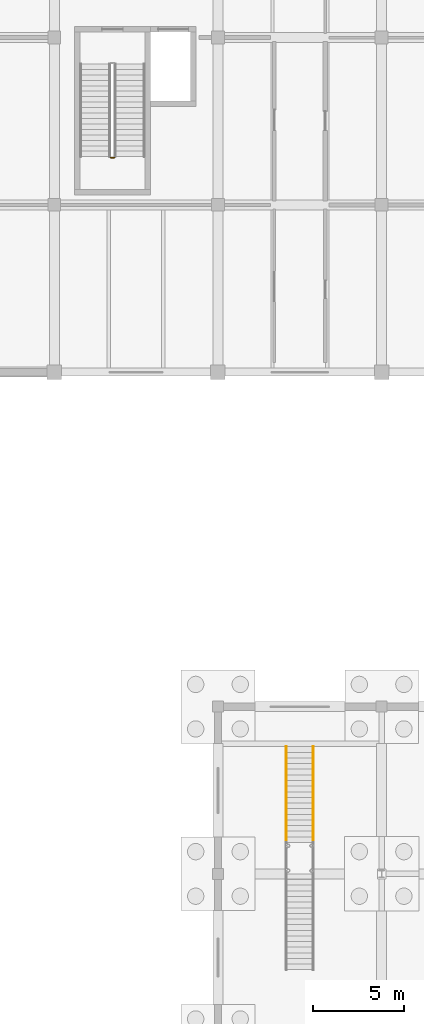
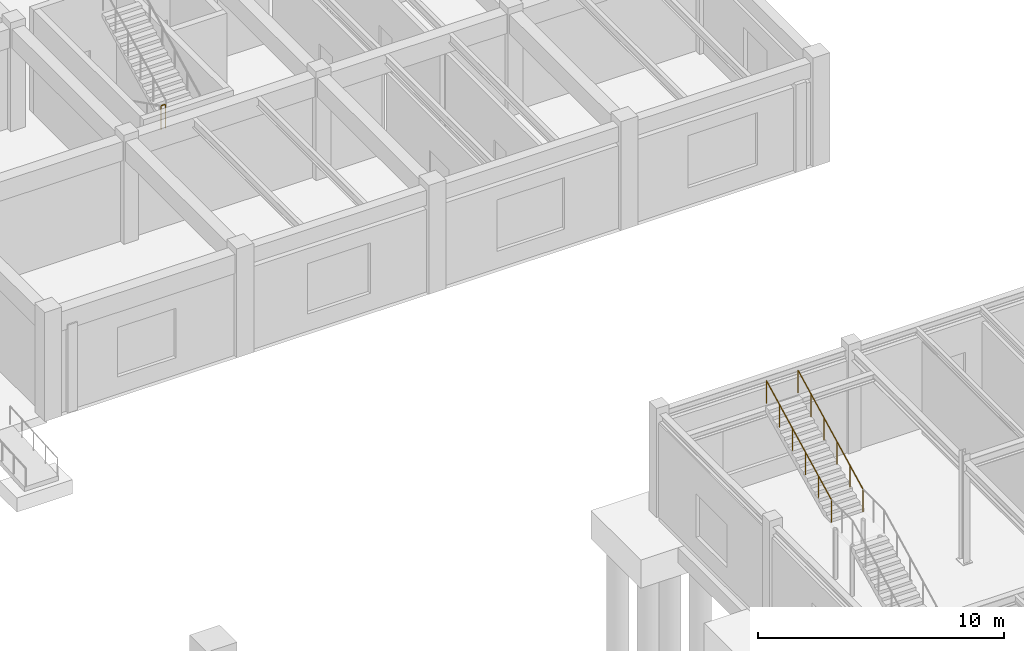
# One storey, part 74 of 76: 3 railings.
"""IFC4 building model written with IfcOpenShell, lengths in metres."""

from ifc_helpers import new_model, si_unit, direction, frame, origin, origin_2d, place, context, subcontext, project, spatial, circle, extrude, material, type_object, element, save


model = new_model("IFC4")

# Units and contexts
model_context = context("Model", 3, precision=1e-05, world=origin(), true_north=direction((0.0, 1.0)))
body_context = subcontext(model_context, "Body", "Model", "MODEL_VIEW")
ifc_project = project(units=[si_unit("LENGTHUNIT", "METRE"), si_unit("AREAUNIT", "SQUARE_METRE"), si_unit("VOLUMEUNIT", "CUBIC_METRE"), si_unit("PLANEANGLEUNIT", "RADIAN"), si_unit("MASSUNIT", "GRAM", prefix="KILO")], contexts=[model_context])

# Site, building, storey
site_placement = place(None, origin())
site = spatial("IfcSite", under=ifc_project, at=site_placement, CompositionType="ELEMENT")
building_placement = place(site_placement, origin())
building = spatial("IfcBuilding", under=site, at=building_placement, Name="Bozkorgan Art Gallery", CompositionType="ELEMENT")
storey_placement = place(building_placement, origin())
storey = spatial("IfcBuildingStorey", under=building, at=storey_placement, Name="L00", CompositionType="ELEMENT", Elevation=0.0)

# Railings
ifc_material = material(Name="Steel S355J2", Category="steel")
railing_type = type_object("IfcRailingType", Name="RAIL-GRD-115", PredefinedType="GUARDRAIL", material=ifc_material)
railing_placement = place(storey_placement, frame((140.10009765625, 77.800048828125, 2.699951171875)))
element("IfcRailing", 1, at=railing_placement, inside=storey, type_object=railing_type, Name="L00 ST3 stair guard 2", PredefinedType="GUARDRAIL", context=body_context, shape_type="SweptSolid", body=[
    extrude(circle(Radius=0.02392578125, at=origin_2d()), frame((0.0, 0.0, 1.17578125), z_axis=(1.0, 0.0, 0.0), x_axis=(0.0, 1.0, 0.0)), (0.0, 0.0, 1.0), 0.199951171875),
    extrude(circle(Radius=0.02099609375, at=origin_2d()), origin(), (0.0, 0.0, 1.0), 1.15185546875),
    extrude(circle(Radius=0.02099609375, at=origin_2d()), frame((0.199951171875, 0.0, 0.0)), (0.0, 0.0, 1.0), 1.15185546875),
])
for number, where, name in (
    (2, (149.760009765625, 40.1298828125, 2.699951171875), "ST11 upper guard W"),
    (3, (151.239990234375, 40.1298828125, 2.699951171875), "ST11 upper guard E"),
):
    element("IfcRailing", number, at=place(storey_placement, frame(where)), inside=storey, type_object=railing_type, Name=name, PredefinedType="GUARDRAIL", context=body_context, shape_type="SweptSolid", body=[
        extrude(circle(Radius=0.02392578125, at=origin_2d()), frame((0.0, 0.0, 1.1259765625), z_axis=(0.0, 0.889997253095, 0.455965886314), x_axis=(-1.0, 0.0, 0.0)), (0.0, 0.0, 1.0), 5.92138671875),
        extrude(circle(Radius=0.02099609375, at=origin_2d()), origin(), (0.0, 0.0, 1.0), 1.101806640625),
        extrude(circle(Radius=0.02099609375, at=origin_2d()), frame((0.0, 1.053955078125, 0.5400390625)), (0.0, 0.0, 1.0), 1.101806640625),
        extrude(circle(Radius=0.02099609375, at=origin_2d()), frame((0.0, 2.10791015625, 1.080078125)), (0.0, 0.0, 1.0), 1.101806640625),
        extrude(circle(Radius=0.02099609375, at=origin_2d()), frame((0.0, 3.162109375, 1.619873046875)), (0.0, 0.0, 1.0), 1.101806640625),
        extrude(circle(Radius=0.02099609375, at=origin_2d()), frame((0.0, 4.216064453125, 2.159912109375)), (0.0, 0.0, 1.0), 1.101806640625),
        extrude(circle(Radius=0.02099609375, at=origin_2d()), frame((0.0, 5.27001953125, 2.699951171875)), (0.0, 0.0, 1.0), 1.101806640625),
    ])

save(model, "model.ifc")
